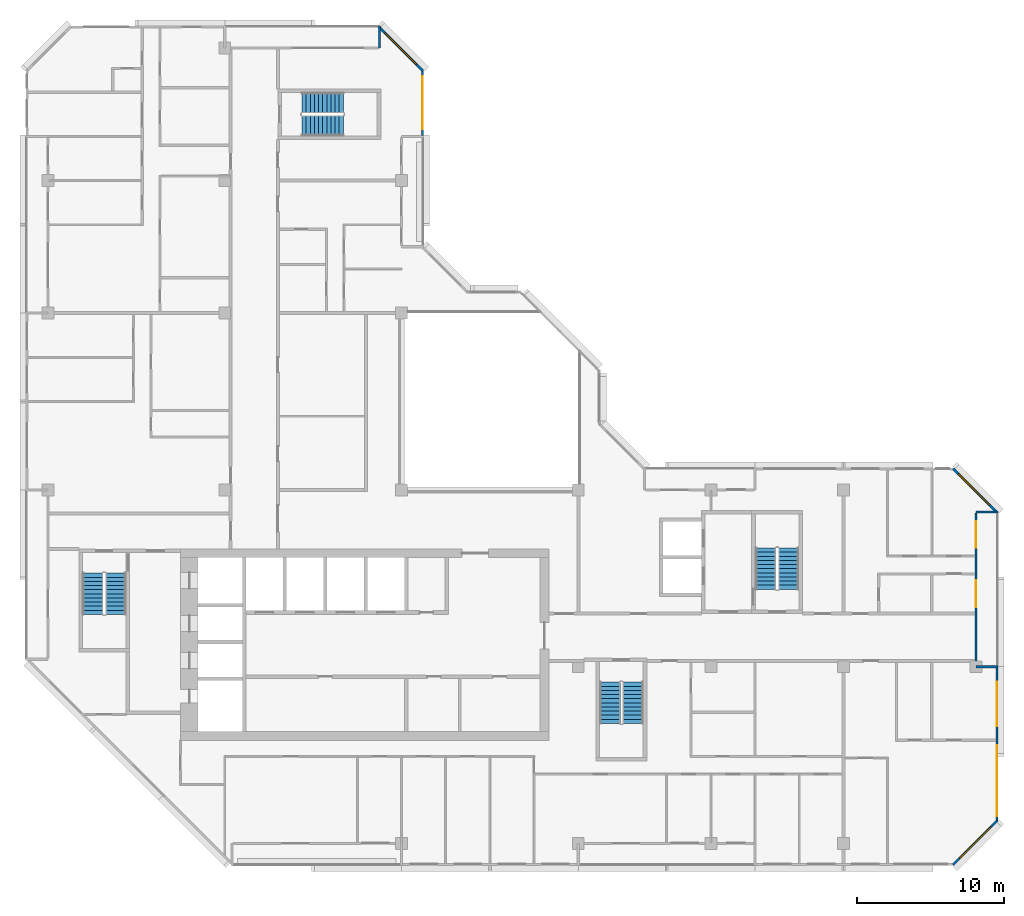
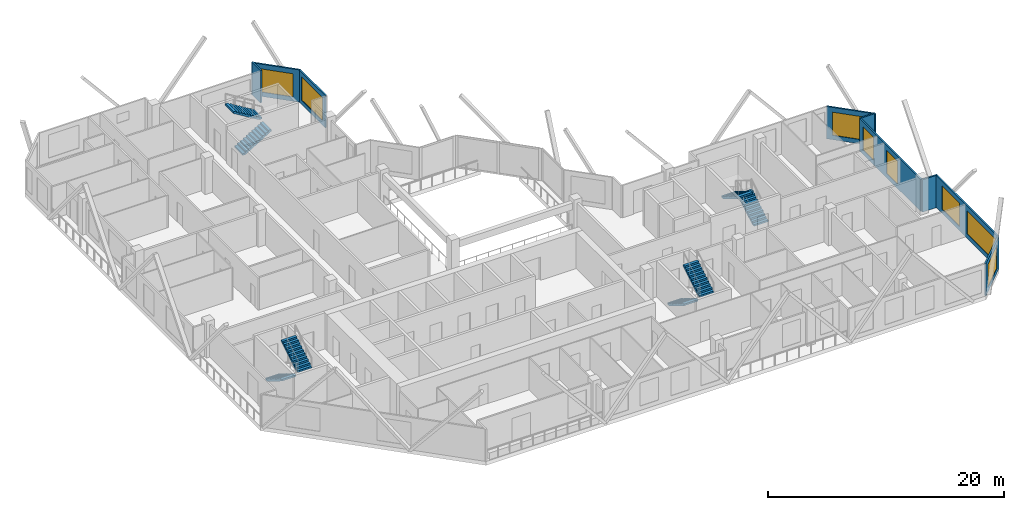
# One storey, part 11 of 13: 9 walls, 8 stair flights, 8 windows, 8 openings, 4 elements without a shape of their own.
"""IFC4 building model written with IfcOpenShell, lengths in metres."""

from ifc_helpers import new_model, si_unit, direction, frame, frame_2d, origin, place, context, subcontext, project, spatial, polyline, rectangle, outline, extrude, material, layer, layer_set, type_object, element, fill, aggregate, save


model = new_model("IFC4")

# Units and contexts
model_context = context("Model", 3, precision=1e-05, world=origin(), true_north=direction((0.0, 1.0)))
body_context = subcontext(model_context, "Body", "Model", "MODEL_VIEW")
ifc_project = project(units=[si_unit("LENGTHUNIT", "METRE"), si_unit("AREAUNIT", "SQUARE_METRE"), si_unit("VOLUMEUNIT", "CUBIC_METRE"), si_unit("PLANEANGLEUNIT", "RADIAN"), si_unit("MASSUNIT", "GRAM", prefix="KILO")], contexts=[model_context])

# Site, building, storey
site_placement = place(None, origin())
site = spatial("IfcSite", under=ifc_project, at=site_placement, CompositionType="ELEMENT")
building_placement = place(site_placement, origin())
building = spatial("IfcBuilding", under=site, at=building_placement, Name="Chenar Terraces", CompositionType="ELEMENT")
storey_placement = place(building_placement, frame((0.0, 0.0, 280.89990234375)))
storey = spatial("IfcBuildingStorey", under=building, at=storey_placement, Name="L65", CompositionType="ELEMENT", Elevation=280.89990234375)

# Wall, opening, window
ifc_material_1 = material(Name="Aluminium framed glazing", Category="aluminium")
ifc_layer_1 = layer(ifc_material_1, 0.14990234375)
ifc_layer_set_1 = layer_set([ifc_layer_1], Name="Aluminium framed glazing")
wall_type_1 = type_object("IfcWallType", Name="Glazed flush facade wall 150", PredefinedType="SOLIDWALL", material=ifc_layer_set_1)
wall_1_placement = place(storey_placement, frame((25.425048828125, 48.074951171875, 0.0), z_axis=(0.0, 0.0, 1.0), x_axis=(0.0, 1.0, 0.0)))
wall_1 = element("IfcWall", 1, at=wall_1_placement, inside=storey, type_object=wall_type_1, Name="Glazed flush facade wall", PredefinedType="SOLIDWALL", context=body_context, shape_type="SweptSolid", body=[
    extrude(rectangle(XDim=4.425048828125, YDim=0.14990234375, at=frame_2d((2.21240234375, 0.0))), origin(), (0.0, 0.0, 1.0), 3.35009765625),
])
opening_1_placement = place(wall_1_placement, frame((0.41259765625, 0.0, 0.449951171875)))
opening_1 = element("IfcOpeningElement", 2, at=opening_1_placement, cuts=wall_1, Name="Opening W360x240", PredefinedType="OPENING", context=body_context, shape_type="SweptSolid", body=[
    extrude(rectangle(XDim=3.60009765625, YDim=2.39990234375, at=frame_2d((1.800048828125, 1.199951171875))), frame((0.0, 0.0849609375, 0.0), z_axis=(0.0, -1.0, 0.0), x_axis=(1.0, 0.0, 0.0)), (0.0, 0.0, 1.0), 0.169921875),
])
ifc_material_2 = material(Name="Low emissivity double glazing, aluminium frame", Category="aluminium")
window_type_1 = type_object("IfcWindowType", Name="Fixed light 3600 x 2400", PartitioningType="SINGLE_PANEL", PredefinedType="WINDOW", material=ifc_material_2)
window_1_placement = place(opening_1_placement, origin())
window_1 = element("IfcWindow", 3, at=window_1_placement, inside=storey, type_object=window_type_1, Name="Window", OverallHeight=2.39990234375, OverallWidth=3.60009765625, PartitioningType="SINGLE_PANEL", PredefinedType="WINDOW", context=body_context, shape_type="SweptSolid", body=[
    extrude(rectangle(XDim=3.60009765625, YDim=2.39990234375, at=frame_2d((1.800048828125, 1.199951171875))), frame((0.0, 0.030029296875, 0.0), z_axis=(0.0, -1.0, 0.0), x_axis=(1.0, 0.0, 0.0)), (0.0, 0.0, 1.0), 0.06005859375),
])
fill(opening_1, window_1)

# Wall, openings, windows
wall_2_placement = place(storey_placement, frame((64.425048828125, 1.5, 0.0), z_axis=(0.0, 0.0, 1.0), x_axis=(0.0, 1.0, 0.0)))
wall_2 = element("IfcWall", 4, at=wall_2_placement, inside=storey, type_object=wall_type_1, Name="Glazed flush facade wall", PredefinedType="SOLIDWALL", context=body_context, shape_type="SweptSolid", body=[
    extrude(rectangle(XDim=10.425048828125, YDim=0.14990234375, at=frame_2d((5.21240234375, 0.0))), origin(), (0.0, 0.0, 1.0), 3.35009765625),
])
opening_2_placement = place(wall_2_placement, frame((0.35009765625, 0.0, 0.449951171875)))
opening_2 = element("IfcOpeningElement", 5, at=opening_2_placement, cuts=wall_2, Name="Opening W480x240", PredefinedType="OPENING", context=body_context, shape_type="SweptSolid", body=[
    extrude(rectangle(XDim=4.800048828125, YDim=2.39990234375, at=frame_2d((2.39990234375, 1.199951171875))), frame((0.0, 0.0849609375, 0.0), z_axis=(0.0, -1.0, 0.0), x_axis=(1.0, 0.0, 0.0)), (0.0, 0.0, 1.0), 0.169921875),
])
opening_3_placement = place(wall_2_placement, frame((6.46240234375, 0.0, 0.449951171875)))
opening_3 = element("IfcOpeningElement", 6, at=opening_3_placement, cuts=wall_2, Name="Opening W300x240", PredefinedType="OPENING", context=body_context, shape_type="SweptSolid", body=[
    extrude(rectangle(XDim=3.0, YDim=2.39990234375, at=frame_2d((1.5, 1.199951171875))), frame((0.0, 0.0849609375, 0.0), z_axis=(0.0, -1.0, 0.0), x_axis=(1.0, 0.0, 0.0)), (0.0, 0.0, 1.0), 0.169921875),
])
ifc_material_3 = material(Name="Low emissivity double glazing, aluminium frame", Category="aluminium")
window_type_2 = type_object("IfcWindowType", Name="Fixed light 3000 x 2400", PartitioningType="SINGLE_PANEL", PredefinedType="WINDOW", material=ifc_material_3)
window_2_placement = place(opening_3_placement, origin())
window_2 = element("IfcWindow", 7, at=window_2_placement, inside=storey, type_object=window_type_2, Name="Window", OverallHeight=2.39990234375, OverallWidth=3.0, PartitioningType="SINGLE_PANEL", PredefinedType="WINDOW", context=body_context, shape_type="SweptSolid", body=[
    extrude(rectangle(XDim=3.0, YDim=2.39990234375, at=frame_2d((1.5, 1.199951171875))), frame((0.0, 0.030029296875, 0.0), z_axis=(0.0, -1.0, 0.0), x_axis=(1.0, 0.0, 0.0)), (0.0, 0.0, 1.0), 0.06005859375),
])
fill(opening_3, window_2)
ifc_material_4 = material(Name="Low emissivity double glazing, aluminium frame", Category="aluminium")
window_type_3 = type_object("IfcWindowType", Name="Fixed light 4800 x 2400", PartitioningType="SINGLE_PANEL", PredefinedType="WINDOW", material=ifc_material_4)
window_3_placement = place(opening_2_placement, origin())
window_3 = element("IfcWindow", 8, at=window_3_placement, inside=storey, type_object=window_type_3, Name="Window", OverallHeight=2.39990234375, OverallWidth=4.800048828125, PartitioningType="SINGLE_PANEL", PredefinedType="WINDOW", context=body_context, shape_type="SweptSolid", body=[
    extrude(rectangle(XDim=4.800048828125, YDim=2.39990234375, at=frame_2d((2.39990234375, 1.199951171875))), frame((0.0, 0.030029296875, 0.0), z_axis=(0.0, -1.0, 0.0), x_axis=(1.0, 0.0, 0.0)), (0.0, 0.0, 1.0), 0.06005859375),
])
fill(opening_2, window_3)

ifc_material_5 = material(Name="Aluminium framed glazing", Category="aluminium")
ifc_layer_2 = layer(ifc_material_5, 0.14990234375)
ifc_layer_set_2 = layer_set([ifc_layer_2], Name="Aluminium framed glazing")
wall_type_2 = type_object("IfcWallType", Name="Glazed loggia back wall 150", PredefinedType="SOLIDWALL", material=ifc_layer_set_2)
wall_3_placement = place(storey_placement, frame((63.0, 12.074951171875, 0.0), z_axis=(0.0, 0.0, 1.0), x_axis=(0.0, 1.0, 0.0)))
wall_3 = element("IfcWall", 9, at=wall_3_placement, inside=storey, type_object=wall_type_2, Name="Glazed loggia back wall", PredefinedType="SOLIDWALL", context=body_context, shape_type="SweptSolid", body=[
    extrude(rectangle(XDim=10.35009765625, YDim=0.14990234375, at=frame_2d((5.175048828125, 0.0))), origin(), (0.0, 0.0, 1.0), 3.35009765625),
])
opening_4_placement = place(wall_3_placement, frame((3.97509765625, 0.0, 0.449951171875)))
opening_4 = element("IfcOpeningElement", 10, at=opening_4_placement, cuts=wall_3, Name="Opening W180x240", PredefinedType="OPENING", context=body_context, shape_type="SweptSolid", body=[
    extrude(rectangle(XDim=1.800048828125, YDim=2.39990234375, at=frame_2d((0.89990234375, 1.199951171875))), frame((0.0, 0.0849609375, 0.0), z_axis=(0.0, -1.0, 0.0), x_axis=(1.0, 0.0, 0.0)), (0.0, 0.0, 1.0), 0.169921875),
])
opening_5_placement = place(wall_3_placement, frame((7.987548828125, 0.0, 0.449951171875)))
opening_5 = element("IfcOpeningElement", 11, at=opening_5_placement, cuts=wall_3, Name="Opening W180x240", PredefinedType="OPENING", context=body_context, shape_type="SweptSolid", body=[
    extrude(rectangle(XDim=1.800048828125, YDim=2.39990234375, at=frame_2d((0.89990234375, 1.199951171875))), frame((0.0, 0.0849609375, 0.0), z_axis=(0.0, -1.0, 0.0), x_axis=(1.0, 0.0, 0.0)), (0.0, 0.0, 1.0), 0.169921875),
])
ifc_material_6 = material(Name="Low emissivity double glazing, aluminium frame", Category="aluminium")
window_type_4 = type_object("IfcWindowType", Name="Fixed light 1800 x 2400", PartitioningType="SINGLE_PANEL", PredefinedType="WINDOW", material=ifc_material_6)
window_4_placement = place(opening_4_placement, origin())
window_4 = element("IfcWindow", 12, at=window_4_placement, inside=storey, type_object=window_type_4, Name="Window", OverallHeight=2.39990234375, OverallWidth=1.800048828125, PartitioningType="SINGLE_PANEL", PredefinedType="WINDOW", context=body_context, shape_type="SweptSolid", body=[
    extrude(rectangle(XDim=1.800048828125, YDim=2.39990234375, at=frame_2d((0.89990234375, 1.199951171875))), frame((0.0, 0.030029296875, 0.0), z_axis=(0.0, -1.0, 0.0), x_axis=(1.0, 0.0, 0.0)), (0.0, 0.0, 1.0), 0.06005859375),
])
fill(opening_4, window_4)
window_5_placement = place(opening_5_placement, origin())
window_5 = element("IfcWindow", 13, at=window_5_placement, inside=storey, type_object=window_type_4, Name="Window", OverallHeight=2.39990234375, OverallWidth=1.800048828125, PartitioningType="SINGLE_PANEL", PredefinedType="WINDOW", context=body_context, shape_type="SweptSolid", body=[
    extrude(rectangle(XDim=1.800048828125, YDim=2.39990234375, at=frame_2d((0.89990234375, 1.199951171875))), frame((0.0, 0.030029296875, 0.0), z_axis=(0.0, -1.0, 0.0), x_axis=(1.0, 0.0, 0.0)), (0.0, 0.0, 1.0), 0.06005859375),
])
fill(opening_5, window_5)

# Walls
ifc_material_7 = material(Name="Terracotta cladding on insulated backing", Category="masonry")
ifc_layer_3 = layer(ifc_material_7, 0.14990234375)
ifc_layer_set_3 = layer_set([ifc_layer_3], Name="Terracotta cladding on insulated backing")
wall_type_3 = type_object("IfcWallType", Name="Loggia return wall 150", PredefinedType="SOLIDWALL", material=ifc_layer_set_3)
for number, where, z_axis, x_axis, name in (
    (14, (22.5, 55.5, 0.0), (0.0, 0.0, 1.0), (0.0, -1.0, 0.0), "Loggia return wall"),
    (15, (64.5, 12.0, 0.0), (0.0, 0.0, 1.0), (-1.0, 0.0, 0.0), "Loggia return wall"),
    (16, (64.5, 22.5, 0.0), (0.0, 0.0, 1.0), (-1.0, 0.0, 0.0), "Loggia return wall"),
):
    element("IfcWall", number, at=place(storey_placement, frame(where, z_axis=z_axis, x_axis=x_axis)), inside=storey, type_object=wall_type_3, Name=name, PredefinedType="SOLIDWALL", context=body_context, shape_type="SweptSolid", body=[
        extrude(rectangle(XDim=1.5, YDim=0.14990234375, at=frame_2d((0.75, 0.0))), origin(), (0.0, 0.0, 1.0), 3.35009765625),
    ])

# Wall, opening, window
ifc_material_8 = material(Name="Terracotta cladding on insulated backing", Category="masonry")
ifc_layer_4 = layer(ifc_material_8, 0.14990234375)
ifc_layer_set_4 = layer_set([ifc_layer_4], Name="Terracotta cladding on insulated backing")
wall_type_4 = type_object("IfcWallType", Name="Terracotta rainscreen wall 150", PredefinedType="SOLIDWALL", material=ifc_layer_set_4)
wall_4_placement = place(storey_placement, frame((25.447021484375, 52.447021484375, 0.0), z_axis=(0.0, 0.0, 1.0), x_axis=(-0.707106781187, 0.707106781187, 0.0)))
wall_4 = element("IfcWall", 17, at=wall_4_placement, inside=storey, type_object=wall_type_4, Name="Terracotta rainscreen wall", PredefinedType="SOLIDWALL", context=body_context, shape_type="SweptSolid", body=[
    extrude(rectangle(XDim=4.24267578125, YDim=0.14990234375, at=frame_2d((2.121337890625, 0.0))), origin(), (0.0, 0.0, 1.0), 3.35009765625),
])
opening_6_placement = place(wall_4_placement, frame((0.621337890625, 0.0, 0.449951171875)))
opening_6 = element("IfcOpeningElement", 18, at=opening_6_placement, cuts=wall_4, Name="Opening W300x240", PredefinedType="OPENING", context=body_context, shape_type="SweptSolid", body=[
    extrude(rectangle(XDim=3.0, YDim=2.39990234375, at=frame_2d((1.5, 1.199951171875))), frame((0.0, 0.0849609375, 0.0), z_axis=(0.0, -1.0, 0.0), x_axis=(1.0, 0.0, 0.0)), (0.0, 0.0, 1.0), 0.169921875),
])
window_6_placement = place(opening_6_placement, origin())
window_6 = element("IfcWindow", 19, at=window_6_placement, inside=storey, type_object=window_type_2, Name="Window", OverallHeight=2.39990234375, OverallWidth=3.0, PartitioningType="SINGLE_PANEL", PredefinedType="WINDOW", context=body_context, shape_type="SweptSolid", body=[
    extrude(rectangle(XDim=3.0, YDim=2.39990234375, at=frame_2d((1.5, 1.199951171875))), frame((0.0, 0.030029296875, 0.0), z_axis=(0.0, -1.0, 0.0), x_axis=(1.0, 0.0, 0.0)), (0.0, 0.0, 1.0), 0.06005859375),
])
fill(opening_6, window_6)

wall_5_placement = place(storey_placement, frame((61.447021484375, -1.447021484375, 0.0), z_axis=(0.0, 0.0, 1.0), x_axis=(0.707106781187, 0.707106781187, 0.0)))
wall_5 = element("IfcWall", 20, at=wall_5_placement, inside=storey, type_object=wall_type_4, Name="Terracotta rainscreen wall", PredefinedType="SOLIDWALL", context=body_context, shape_type="SweptSolid", body=[
    extrude(rectangle(XDim=4.24267578125, YDim=0.14990234375, at=frame_2d((2.121337890625, 0.0))), origin(), (0.0, 0.0, 1.0), 3.35009765625),
])
opening_7_placement = place(wall_5_placement, frame((0.621337890625, 0.0, 0.449951171875)))
opening_7 = element("IfcOpeningElement", 21, at=opening_7_placement, cuts=wall_5, Name="Opening W300x240", PredefinedType="OPENING", context=body_context, shape_type="SweptSolid", body=[
    extrude(rectangle(XDim=3.0, YDim=2.39990234375, at=frame_2d((1.5, 1.199951171875))), frame((0.0, 0.0849609375, 0.0), z_axis=(0.0, -1.0, 0.0), x_axis=(1.0, 0.0, 0.0)), (0.0, 0.0, 1.0), 0.169921875),
])
window_7_placement = place(opening_7_placement, origin())
window_7 = element("IfcWindow", 22, at=window_7_placement, inside=storey, type_object=window_type_2, Name="Window", OverallHeight=2.39990234375, OverallWidth=3.0, PartitioningType="SINGLE_PANEL", PredefinedType="WINDOW", context=body_context, shape_type="SweptSolid", body=[
    extrude(rectangle(XDim=3.0, YDim=2.39990234375, at=frame_2d((1.5, 1.199951171875))), frame((0.0, 0.030029296875, 0.0), z_axis=(0.0, -1.0, 0.0), x_axis=(1.0, 0.0, 0.0)), (0.0, 0.0, 1.0), 0.06005859375),
])
fill(opening_7, window_7)

wall_6_placement = place(storey_placement, frame((64.447021484375, 22.447021484375, 0.0), z_axis=(0.0, 0.0, 1.0), x_axis=(-0.707106781187, 0.707106781187, 0.0)))
wall_6 = element("IfcWall", 23, at=wall_6_placement, inside=storey, type_object=wall_type_4, Name="Terracotta rainscreen wall", PredefinedType="SOLIDWALL", context=body_context, shape_type="SweptSolid", body=[
    extrude(rectangle(XDim=4.24267578125, YDim=0.14990234375, at=frame_2d((2.121337890625, 0.0))), origin(), (0.0, 0.0, 1.0), 3.35009765625),
])
opening_8_placement = place(wall_6_placement, frame((0.744384765625, 0.0, 0.449951171875)))
opening_8 = element("IfcOpeningElement", 24, at=opening_8_placement, cuts=wall_6, Name="Opening W300x240", PredefinedType="OPENING", context=body_context, shape_type="SweptSolid", body=[
    extrude(rectangle(XDim=3.0, YDim=2.39990234375, at=frame_2d((1.5, 1.199951171875))), frame((0.0, 0.0849609375, 0.0), z_axis=(0.0, -1.0, 0.0), x_axis=(1.0, 0.0, 0.0)), (0.0, 0.0, 1.0), 0.169921875),
])
window_8_placement = place(opening_8_placement, origin())
window_8 = element("IfcWindow", 25, at=window_8_placement, inside=storey, type_object=window_type_2, Name="Window", OverallHeight=2.39990234375, OverallWidth=3.0, PartitioningType="SINGLE_PANEL", PredefinedType="WINDOW", context=body_context, shape_type="SweptSolid", body=[
    extrude(rectangle(XDim=3.0, YDim=2.39990234375, at=frame_2d((1.5, 1.199951171875))), frame((0.0, 0.030029296875, 0.0), z_axis=(0.0, -1.0, 0.0), x_axis=(1.0, 0.0, 0.0)), (0.0, 0.0, 1.0), 0.06005859375),
])
fill(opening_8, window_8)

# Stair, stair flights
ifc_material_9 = material(Name="Reinforced concrete C40/50", Category="concrete")
stair_type = type_object("IfcStairType", Name="Core stair 1400 half-turn", PredefinedType="HALF_TURN_STAIR", material=ifc_material_9)
placement = place(storey_placement, origin())
stair_1 = element("IfcStair", 26, at=placement, inside=storey, type_object=stair_type, Name="L65 Stair 1", PredefinedType="HALF_TURN_STAIR")
ifc_material_10 = material(Name="Reinforced concrete C40/50", Category="concrete")
stair_flight_type = type_object("IfcStairFlightType", Name="Core stair flight 1400", PredefinedType="STRAIGHT", material=ifc_material_10)
stair_flight_1_placement = place(storey_placement, frame((3.050048828125, 18.35009765625, 0.0), z_axis=(0.0, 0.0, 1.0), x_axis=(0.0, -1.0, 0.0)))
stair_flight_1 = element("IfcStairFlight", 27, at=stair_flight_1_placement, type_object=stair_flight_type, Name="ST1 flight 1", NumberOfRisers=11, NumberOfTreads=10, PredefinedType="STRAIGHT", RiserHeight=0.170454545, TreadLength=0.28, context=body_context, shape_type="SweptSolid", body=[
    extrude(outline(polyline([(-0.0029296875, 0.0), (-0.0029296875, 0.17041015625), (0.0, 0.17041015625), (0.280029296875, 0.17041015625), (0.280029296875, 0.3408203125), (0.56005859375, 0.3408203125), (0.56005859375, 0.511474609375), (0.840087890625, 0.511474609375), (0.840087890625, 0.681884765625), (1.1201171875, 0.681884765625), (1.1201171875, 0.852294921875), (1.39990234375, 0.852294921875), (1.39990234375, 1.022705078125), (1.679931640625, 1.022705078125), (1.679931640625, 1.193115234375), (1.9599609375, 1.193115234375), (1.9599609375, 1.363525390625), (2.239990234375, 1.363525390625), (2.239990234375, 1.5341796875), (2.52001953125, 1.5341796875), (2.52001953125, 1.70458984375), (2.800048828125, 1.70458984375), (2.802978515625, 1.70458984375), (2.802978515625, 1.529052734375), (2.800048828125, 1.529052734375), (0.288330078125, 0.0), (-0.0029296875, 0.0)])), frame((0.0, 0.699951171875, 0.0), z_axis=(0.0, -1.0, 0.0), x_axis=(1.0, 0.0, 0.0)), (0.0, 0.0, 1.0), 1.39990234375),
])
stair_flight_2_placement = place(storey_placement, frame((4.60009765625, 15.550048828125, 1.875), z_axis=(0.0, 0.0, 1.0), x_axis=(0.0, 1.0, 0.0)))
stair_flight_2 = element("IfcStairFlight", 28, at=stair_flight_2_placement, type_object=stair_flight_type, Name="ST1 flight 2", NumberOfRisers=11, NumberOfTreads=10, PredefinedType="STRAIGHT", RiserHeight=0.170454545, TreadLength=0.28, context=body_context, shape_type="SweptSolid", body=[
    extrude(outline(polyline([(-0.0029296875, 0.0), (-0.0029296875, 0.17041015625), (0.0, 0.17041015625), (0.280029296875, 0.17041015625), (0.280029296875, 0.3408203125), (0.56005859375, 0.3408203125), (0.56005859375, 0.511474609375), (0.840087890625, 0.511474609375), (0.840087890625, 0.681884765625), (1.1201171875, 0.681884765625), (1.1201171875, 0.852294921875), (1.39990234375, 0.852294921875), (1.39990234375, 1.022705078125), (1.679931640625, 1.022705078125), (1.679931640625, 1.193115234375), (1.9599609375, 1.193115234375), (1.9599609375, 1.363525390625), (2.239990234375, 1.363525390625), (2.239990234375, 1.5341796875), (2.52001953125, 1.5341796875), (2.52001953125, 1.70458984375), (2.800048828125, 1.70458984375), (2.802978515625, 1.70458984375), (2.802978515625, 1.529052734375), (2.800048828125, 1.529052734375), (0.288330078125, 0.0), (-0.0029296875, 0.0)])), frame((0.0, 0.699951171875, 0.0), z_axis=(0.0, -1.0, 0.0), x_axis=(1.0, 0.0, 0.0)), (0.0, 0.0, 1.0), 1.39990234375),
])
aggregate(stair_1, [stair_flight_1, stair_flight_2])

stair_2 = element("IfcStair", 29, at=placement, inside=storey, type_object=stair_type, Name="L65 Stair 2", PredefinedType="HALF_TURN_STAIR")
stair_flight_3_placement = place(storey_placement, frame((38.14990234375, 10.949951171875, 0.0), z_axis=(0.0, 0.0, 1.0), x_axis=(0.0, -1.0, 0.0)))
stair_flight_3 = element("IfcStairFlight", 30, at=stair_flight_3_placement, type_object=stair_flight_type, Name="ST2 flight 1", NumberOfRisers=11, NumberOfTreads=10, PredefinedType="STRAIGHT", RiserHeight=0.170454545, TreadLength=0.28, context=body_context, shape_type="SweptSolid", body=[
    extrude(outline(polyline([(-0.0029296875, 0.0), (-0.0029296875, 0.17041015625), (0.0, 0.17041015625), (0.280029296875, 0.17041015625), (0.280029296875, 0.3408203125), (0.56005859375, 0.3408203125), (0.56005859375, 0.511474609375), (0.840087890625, 0.511474609375), (0.840087890625, 0.681884765625), (1.1201171875, 0.681884765625), (1.1201171875, 0.852294921875), (1.39990234375, 0.852294921875), (1.39990234375, 1.022705078125), (1.679931640625, 1.022705078125), (1.679931640625, 1.193115234375), (1.9599609375, 1.193115234375), (1.9599609375, 1.363525390625), (2.239990234375, 1.363525390625), (2.239990234375, 1.5341796875), (2.52001953125, 1.5341796875), (2.52001953125, 1.70458984375), (2.800048828125, 1.70458984375), (2.802978515625, 1.70458984375), (2.802978515625, 1.529052734375), (2.800048828125, 1.529052734375), (0.288330078125, 0.0), (-0.0029296875, 0.0)])), frame((0.0, 0.699951171875, 0.0), z_axis=(0.0, -1.0, 0.0), x_axis=(1.0, 0.0, 0.0)), (0.0, 0.0, 1.0), 1.39990234375),
])
stair_flight_4_placement = place(storey_placement, frame((39.699951171875, 8.14990234375, 1.875), z_axis=(0.0, 0.0, 1.0), x_axis=(0.0, 1.0, 0.0)))
stair_flight_4 = element("IfcStairFlight", 31, at=stair_flight_4_placement, type_object=stair_flight_type, Name="ST2 flight 2", NumberOfRisers=11, NumberOfTreads=10, PredefinedType="STRAIGHT", RiserHeight=0.170454545, TreadLength=0.28, context=body_context, shape_type="SweptSolid", body=[
    extrude(outline(polyline([(-0.0029296875, 0.0), (-0.0029296875, 0.17041015625), (0.0, 0.17041015625), (0.280029296875, 0.17041015625), (0.280029296875, 0.3408203125), (0.56005859375, 0.3408203125), (0.56005859375, 0.511474609375), (0.840087890625, 0.511474609375), (0.840087890625, 0.681884765625), (1.1201171875, 0.681884765625), (1.1201171875, 0.852294921875), (1.39990234375, 0.852294921875), (1.39990234375, 1.022705078125), (1.679931640625, 1.022705078125), (1.679931640625, 1.193115234375), (1.9599609375, 1.193115234375), (1.9599609375, 1.363525390625), (2.239990234375, 1.363525390625), (2.239990234375, 1.5341796875), (2.52001953125, 1.5341796875), (2.52001953125, 1.70458984375), (2.800048828125, 1.70458984375), (2.802978515625, 1.70458984375), (2.802978515625, 1.529052734375), (2.800048828125, 1.529052734375), (0.288330078125, 0.0), (-0.0029296875, 0.0)])), frame((0.0, 0.699951171875, 0.0), z_axis=(0.0, -1.0, 0.0), x_axis=(1.0, 0.0, 0.0)), (0.0, 0.0, 1.0), 1.39990234375),
])
aggregate(stair_2, [stair_flight_3, stair_flight_4])

stair_3 = element("IfcStair", 32, at=placement, inside=storey, type_object=stair_type, Name="L65 Stair 3", PredefinedType="HALF_TURN_STAIR")
stair_flight_5_placement = place(storey_placement, frame((50.27490234375, 17.25, 0.0), z_axis=(0.0, 0.0, 1.0), x_axis=(0.0, 1.0, 0.0)))
stair_flight_5 = element("IfcStairFlight", 33, at=stair_flight_5_placement, type_object=stair_flight_type, Name="ST3 flight 1", NumberOfRisers=11, NumberOfTreads=10, PredefinedType="STRAIGHT", RiserHeight=0.170454545, TreadLength=0.28, context=body_context, shape_type="SweptSolid", body=[
    extrude(outline(polyline([(-0.0029296875, 0.0), (-0.0029296875, 0.17041015625), (0.0, 0.17041015625), (0.280029296875, 0.17041015625), (0.280029296875, 0.3408203125), (0.56005859375, 0.3408203125), (0.56005859375, 0.511474609375), (0.840087890625, 0.511474609375), (0.840087890625, 0.681884765625), (1.1201171875, 0.681884765625), (1.1201171875, 0.852294921875), (1.39990234375, 0.852294921875), (1.39990234375, 1.022705078125), (1.679931640625, 1.022705078125), (1.679931640625, 1.193115234375), (1.9599609375, 1.193115234375), (1.9599609375, 1.363525390625), (2.239990234375, 1.363525390625), (2.239990234375, 1.5341796875), (2.52001953125, 1.5341796875), (2.52001953125, 1.70458984375), (2.800048828125, 1.70458984375), (2.802978515625, 1.70458984375), (2.802978515625, 1.529052734375), (2.800048828125, 1.529052734375), (0.288330078125, 0.0), (-0.0029296875, 0.0)])), frame((0.0, 0.699951171875, 0.0), z_axis=(0.0, -1.0, 0.0), x_axis=(1.0, 0.0, 0.0)), (0.0, 0.0, 1.0), 1.39990234375),
])
stair_flight_6_placement = place(storey_placement, frame((48.72509765625, 20.050048828125, 1.875), z_axis=(0.0, 0.0, 1.0), x_axis=(0.0, -1.0, 0.0)))
stair_flight_6 = element("IfcStairFlight", 34, at=stair_flight_6_placement, type_object=stair_flight_type, Name="ST3 flight 2", NumberOfRisers=11, NumberOfTreads=10, PredefinedType="STRAIGHT", RiserHeight=0.170454545, TreadLength=0.28, context=body_context, shape_type="SweptSolid", body=[
    extrude(outline(polyline([(-0.0029296875, 0.0), (-0.0029296875, 0.17041015625), (0.0, 0.17041015625), (0.280029296875, 0.17041015625), (0.280029296875, 0.3408203125), (0.56005859375, 0.3408203125), (0.56005859375, 0.511474609375), (0.840087890625, 0.511474609375), (0.840087890625, 0.681884765625), (1.1201171875, 0.681884765625), (1.1201171875, 0.852294921875), (1.39990234375, 0.852294921875), (1.39990234375, 1.022705078125), (1.679931640625, 1.022705078125), (1.679931640625, 1.193115234375), (1.9599609375, 1.193115234375), (1.9599609375, 1.363525390625), (2.239990234375, 1.363525390625), (2.239990234375, 1.5341796875), (2.52001953125, 1.5341796875), (2.52001953125, 1.70458984375), (2.800048828125, 1.70458984375), (2.802978515625, 1.70458984375), (2.802978515625, 1.529052734375), (2.800048828125, 1.529052734375), (0.288330078125, 0.0), (-0.0029296875, 0.0)])), frame((0.0, 0.699951171875, 0.0), z_axis=(0.0, -1.0, 0.0), x_axis=(1.0, 0.0, 0.0)), (0.0, 0.0, 1.0), 1.39990234375),
])
aggregate(stair_3, [stair_flight_5, stair_flight_6])

stair_4 = element("IfcStair", 35, at=placement, inside=storey, type_object=stair_type, Name="L65 Stair 4", PredefinedType="HALF_TURN_STAIR")
stair_flight_7_placement = place(storey_placement, frame((17.25, 48.72509765625, 0.0), z_axis=(0.0, 0.0, 1.0), x_axis=(1.0, 0.0, 0.0)))
stair_flight_7 = element("IfcStairFlight", 36, at=stair_flight_7_placement, type_object=stair_flight_type, Name="ST4 flight 1", NumberOfRisers=11, NumberOfTreads=10, PredefinedType="STRAIGHT", RiserHeight=0.170454545, TreadLength=0.28, context=body_context, shape_type="SweptSolid", body=[
    extrude(outline(polyline([(-0.0029296875, 0.0), (-0.0029296875, 0.17041015625), (0.0, 0.17041015625), (0.280029296875, 0.17041015625), (0.280029296875, 0.3408203125), (0.56005859375, 0.3408203125), (0.56005859375, 0.511474609375), (0.840087890625, 0.511474609375), (0.840087890625, 0.681884765625), (1.1201171875, 0.681884765625), (1.1201171875, 0.852294921875), (1.39990234375, 0.852294921875), (1.39990234375, 1.022705078125), (1.679931640625, 1.022705078125), (1.679931640625, 1.193115234375), (1.9599609375, 1.193115234375), (1.9599609375, 1.363525390625), (2.239990234375, 1.363525390625), (2.239990234375, 1.5341796875), (2.52001953125, 1.5341796875), (2.52001953125, 1.70458984375), (2.800048828125, 1.70458984375), (2.802978515625, 1.70458984375), (2.802978515625, 1.529052734375), (2.800048828125, 1.529052734375), (0.288330078125, 0.0), (-0.0029296875, 0.0)])), frame((0.0, 0.699951171875, 0.0), z_axis=(0.0, -1.0, 0.0), x_axis=(1.0, 0.0, 0.0)), (0.0, 0.0, 1.0), 1.39990234375),
])
stair_flight_8_placement = place(storey_placement, frame((20.050048828125, 50.27490234375, 1.875), z_axis=(0.0, 0.0, 1.0), x_axis=(-1.0, 0.0, 0.0)))
stair_flight_8 = element("IfcStairFlight", 37, at=stair_flight_8_placement, type_object=stair_flight_type, Name="ST4 flight 2", NumberOfRisers=11, NumberOfTreads=10, PredefinedType="STRAIGHT", RiserHeight=0.170454545, TreadLength=0.28, context=body_context, shape_type="SweptSolid", body=[
    extrude(outline(polyline([(-0.0029296875, 0.0), (-0.0029296875, 0.17041015625), (0.0, 0.17041015625), (0.280029296875, 0.17041015625), (0.280029296875, 0.3408203125), (0.56005859375, 0.3408203125), (0.56005859375, 0.511474609375), (0.840087890625, 0.511474609375), (0.840087890625, 0.681884765625), (1.1201171875, 0.681884765625), (1.1201171875, 0.852294921875), (1.39990234375, 0.852294921875), (1.39990234375, 1.022705078125), (1.679931640625, 1.022705078125), (1.679931640625, 1.193115234375), (1.9599609375, 1.193115234375), (1.9599609375, 1.363525390625), (2.239990234375, 1.363525390625), (2.239990234375, 1.5341796875), (2.52001953125, 1.5341796875), (2.52001953125, 1.70458984375), (2.800048828125, 1.70458984375), (2.802978515625, 1.70458984375), (2.802978515625, 1.529052734375), (2.800048828125, 1.529052734375), (0.288330078125, 0.0), (-0.0029296875, 0.0)])), frame((0.0, 0.699951171875, 0.0), z_axis=(0.0, -1.0, 0.0), x_axis=(1.0, 0.0, 0.0)), (0.0, 0.0, 1.0), 1.39990234375),
])
aggregate(stair_4, [stair_flight_7, stair_flight_8])

save(model, "model.ifc")
